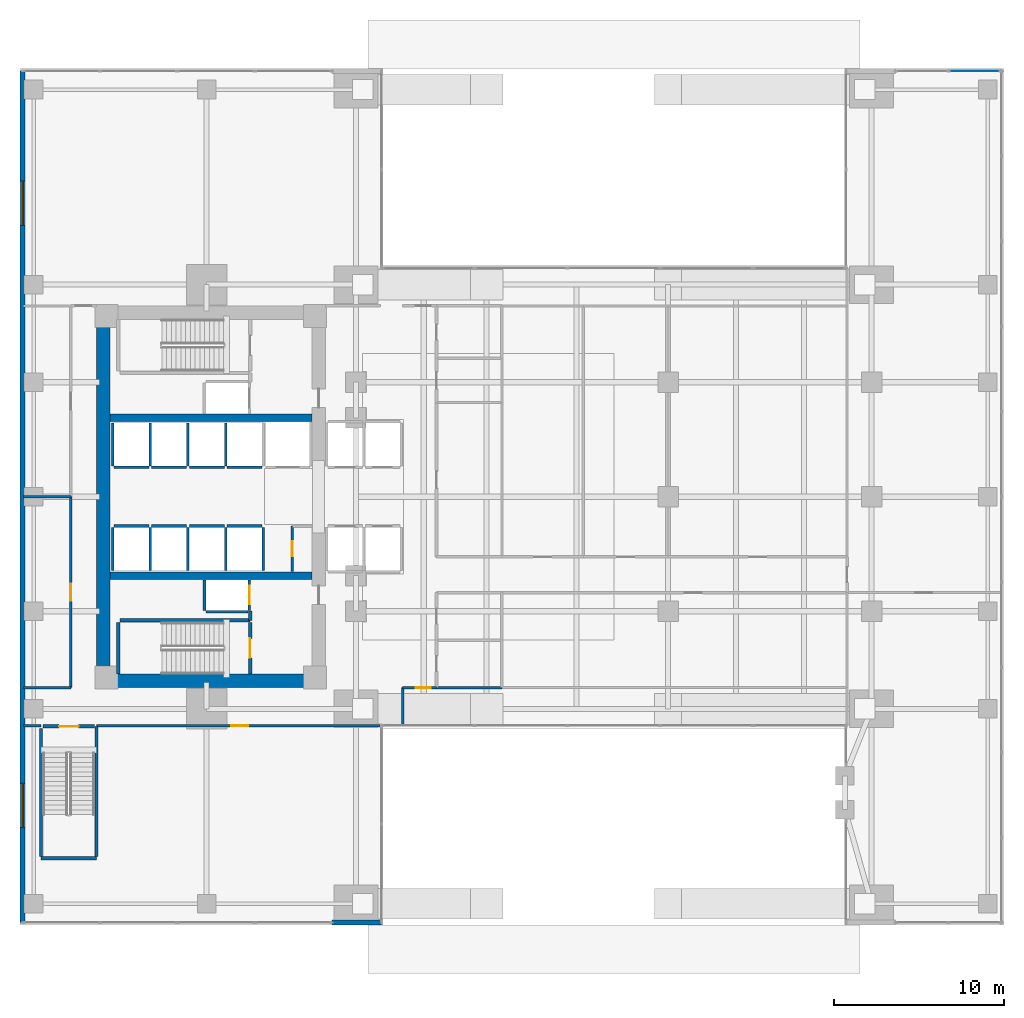
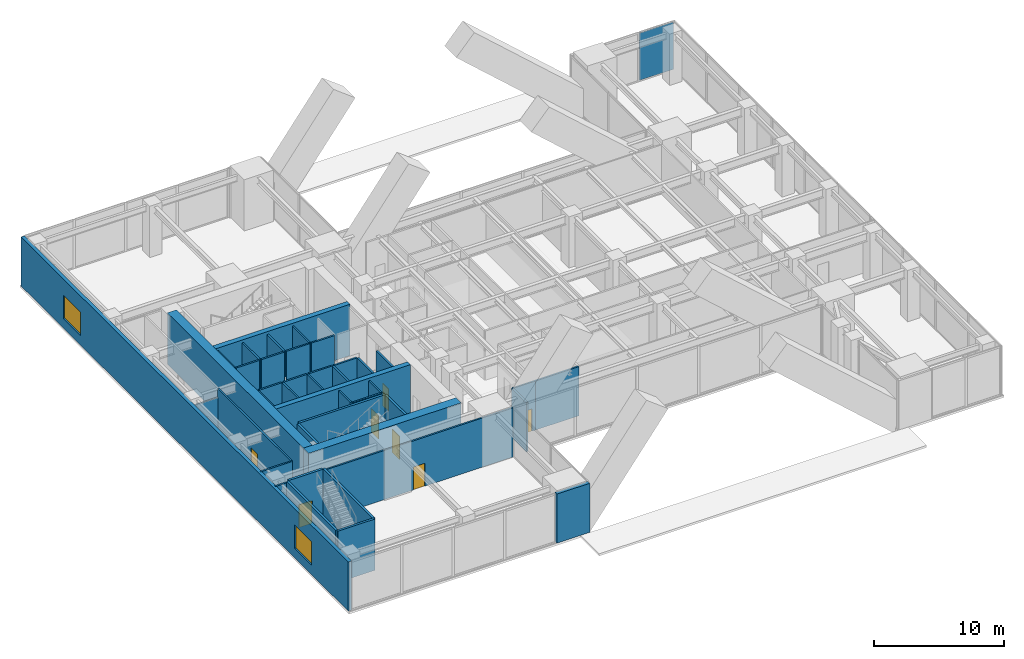
# One storey, part 8 of 13: 43 walls, 7 doors, 2 windows, 1 plate, 9 openings, 1 element without a shape of its own.
"""IFC4 building model written with IfcOpenShell, lengths in metres."""

from ifc_helpers import new_model, si_unit, direction, frame, frame_2d, origin, origin_2d, place, context, subcontext, project, spatial, rectangle, extrude, material, layer, layer_set, type_object, element, fill, aggregate, save


model = new_model("IFC4")

# Units and contexts
model_context = context("Model", 3, precision=1e-05, world=origin(), true_north=direction((0.0, 1.0)))
body_context = subcontext(model_context, "Body", "Model", "MODEL_VIEW")
ifc_project = project(units=[si_unit("LENGTHUNIT", "METRE"), si_unit("AREAUNIT", "SQUARE_METRE"), si_unit("VOLUMEUNIT", "CUBIC_METRE"), si_unit("PLANEANGLEUNIT", "RADIAN"), si_unit("MASSUNIT", "GRAM", prefix="KILO")], contexts=[model_context])

# Site, building, storey
site_placement = place(None, origin())
site = spatial("IfcSite", under=ifc_project, at=site_placement, CompositionType="ELEMENT")
building_placement = place(site_placement, origin())
building = spatial("IfcBuilding", under=site, at=building_placement, Name="Kinhvarn Gate Tower", CompositionType="ELEMENT")
storey_placement = place(building_placement, frame((0.0, 0.0, 6.0)))
storey = spatial("IfcBuildingStorey", under=building, at=storey_placement, Name="L01", CompositionType="ELEMENT", Elevation=6.0)

# Curtain wall, plate
ifc_material_1 = material(Name="Anodised aluminium AW-6063", Category="aluminium")
ifc_layer_1 = layer(ifc_material_1, 0.219970703125)
ifc_layer_set_1 = layer_set([ifc_layer_1], Name="Anodised aluminium AW-6063")
curtain_wall_type = type_object("IfcCurtainWallType", Name="CW-SYS-1", PredefinedType="NOTDEFINED", material=ifc_layer_set_1)
curtain_wall_placement = place(storey_placement, origin())
curtain_wall = element("IfcCurtainWall", 1, at=curtain_wall_placement, inside=storey, type_object=curtain_wall_type, Name="Curtain Wall CW1 (L01)", PredefinedType="NOTDEFINED")
ifc_material_2 = material(Name="Clear low-e double glazing", Category="glass")
ifc_layer_2 = layer(ifc_material_2, 0.031982421875)
ifc_layer_set_2 = layer_set([ifc_layer_2], Name="Clear low-e double glazing")
plate_type = type_object("IfcPlateType", Name="CW-PNL-VIS", PredefinedType="CURTAIN_PANEL", material=ifc_layer_set_2)
plate_placement = place(storey_placement, frame((56.267578125, 50.35009765625, 0.080078125), z_axis=(0.0, 0.0, 1.0), x_axis=(-1.0, 0.0, 0.0)))
plate = element("IfcPlate", 2, at=plate_placement, type_object=plate_type, Name="CW1 panel 1.1", PredefinedType="CURTAIN_PANEL", context=body_context, shape_type="SweptSolid", body=[
    extrude(rectangle(XDim=3.0048828125, YDim=0.031982421875, at=origin_2d()), origin(), (0.0, 0.0, 1.0), 4.43994140625),
])
aggregate(curtain_wall, [plate])

# Walls
ifc_material_3 = material(Name="Concrete C50/60", Category="concrete")
ifc_layer_3 = layer(ifc_material_3, 0.449951171875)
ifc_layer_set_3 = layer_set([ifc_layer_3], Name="Concrete C50/60")
wall_type_1 = type_object("IfcWallType", Name="WL-CORE-450", PredefinedType="SHEAR", material=ifc_layer_set_3)
for number, where, z_axis, x_axis, name in (
    (3, (5.300048828125, 20.60009765625, 0.0), (0.0, 0.0, 1.0), (1.0, 0.0, 0.0), "Core South Spine Shear Wall L01 450 mm"),
    (4, (5.300048828125, 29.89990234375, 0.0), (0.0, 0.0, 1.0), (1.0, 0.0, 0.0), "Core North Spine Shear Wall L01 450 mm"),
):
    element("IfcWall", number, at=place(storey_placement, frame(where, z_axis=z_axis, x_axis=x_axis)), inside=storey, type_object=wall_type_1, Name=name, PredefinedType="SHEAR", context=body_context, shape_type="SweptSolid", body=[
        extrude(rectangle(XDim=11.89990234375, YDim=0.449951171875, at=frame_2d((5.949951171875, 0.0))), origin(), (0.0, 0.0, 1.0), 4.800048828125),
    ])
ifc_material_4 = material(Name="Concrete C70/85", Category="concrete")
ifc_layer_4 = layer(ifc_material_4, 0.800048828125)
ifc_layer_set_4 = layer_set([ifc_layer_4], Name="Concrete C70/85")
wall_type_2 = type_object("IfcWallType", Name="WL-CORE-800", PredefinedType="SHEAR", material=ifc_layer_set_4)
wall_1_placement = place(storey_placement, frame((4.5, 14.39990234375, 0.0), z_axis=(0.0, 0.0, 1.0), x_axis=(1.0, 0.0, 0.0)))
element("IfcWall", 5, at=wall_1_placement, inside=storey, type_object=wall_type_2, Name="Core South Shear Wall L01 800 mm", PredefinedType="SHEAR", context=body_context, shape_type="SweptSolid", body=[
    extrude(rectangle(XDim=13.5, YDim=0.800048828125, at=frame_2d((6.75, 0.0))), origin(), (0.0, 0.0, 1.0), 4.800048828125),
])
wall_2_placement = place(storey_placement, frame((4.89990234375, 14.800048828125, 0.0), z_axis=(0.0, 0.0, 1.0), x_axis=(0.0, 1.0, 0.0)))
element("IfcWall", 6, at=wall_2_placement, inside=storey, type_object=wall_type_2, Name="Core West Shear Wall L01 800 mm", PredefinedType="SHEAR", context=body_context, shape_type="SweptSolid", body=[
    extrude(rectangle(XDim=20.89990234375, YDim=0.800048828125, at=frame_2d((10.449951171875, 0.0))), origin(), (0.0, 0.0, 1.0), 4.800048828125),
])

# Wall, openings, windows
ifc_material_5 = material(Name="Precast white architectural concrete C40/50", Category="concrete")
ifc_layer_5 = layer(ifc_material_5, 0.300048828125)
ifc_layer_set_5 = layer_set([ifc_layer_5], Name="Precast white architectural concrete C40/50")
wall_type_3 = type_object("IfcWallType", Name="WL-EXT-300", PredefinedType="SOLIDWALL", material=ifc_layer_set_5)
wall_3_placement = place(storey_placement, frame((0.14990234375, 50.35009765625, 0.0), z_axis=(0.0, 0.0, 1.0), x_axis=(0.0, -1.0, 0.0)))
wall_3 = element("IfcWall", 7, at=wall_3_placement, inside=storey, type_object=wall_type_3, Name="Exterior Solidwall Wall EW-300 (L01 West)", PredefinedType="SOLIDWALL", context=body_context, shape_type="SweptSolid", body=[
    extrude(rectangle(XDim=50.2001953125, YDim=0.300048828125, at=frame_2d((25.10009765625, 0.0))), origin(), (0.0, 0.0, 1.0), 4.60009765625),
])
opening_1_placement = place(wall_3_placement, frame((6.5, 0.0, 0.89990234375)))
opening_1 = element("IfcOpeningElement", 8, at=opening_1_placement, cuts=wall_3, Name="Opening WN-03", PredefinedType="OPENING", context=body_context, shape_type="SweptSolid", body=[
    extrude(rectangle(XDim=2.60009765625, YDim=2.199951171875, at=frame_2d((1.300048828125, 1.10009765625))), frame((0.0, 0.16015625, 0.0), z_axis=(0.0, -1.0, 0.0), x_axis=(1.0, 0.0, 0.0)), (0.0, 0.0, 1.0), 0.320068359375),
])
opening_2_placement = place(wall_3_placement, frame((42.0, 0.0, 0.89990234375)))
opening_2 = element("IfcOpeningElement", 9, at=opening_2_placement, cuts=wall_3, Name="Opening WN-03", PredefinedType="OPENING", context=body_context, shape_type="SweptSolid", body=[
    extrude(rectangle(XDim=2.60009765625, YDim=2.199951171875, at=frame_2d((1.300048828125, 1.10009765625))), frame((0.0, 0.16015625, 0.0), z_axis=(0.0, -1.0, 0.0), x_axis=(1.0, 0.0, 0.0)), (0.0, 0.0, 1.0), 0.320068359375),
])
window_type = type_object("IfcWindowType", Name="WIN-POD-2600", PartitioningType="SINGLE_PANEL", PredefinedType="WINDOW", material=ifc_material_2)
window_1_placement = place(opening_1_placement, origin())
window_1 = element("IfcWindow", 10, at=window_1_placement, inside=storey, type_object=window_type, Name="Podium Gallery Punched Window 2600x2200 mm (L01)", OverallHeight=2.199951171875, OverallWidth=2.60009765625, PartitioningType="SINGLE_PANEL", PredefinedType="WINDOW", context=body_context, shape_type="SweptSolid", body=[
    extrude(rectangle(XDim=2.60009765625, YDim=2.199951171875, at=frame_2d((1.300048828125, 1.10009765625))), frame((0.0, 0.030029296875, 0.0), z_axis=(0.0, -1.0, 0.0), x_axis=(1.0, 0.0, 0.0)), (0.0, 0.0, 1.0), 0.06005859375),
])
fill(opening_1, window_1)
window_2_placement = place(opening_2_placement, origin())
window_2 = element("IfcWindow", 11, at=window_2_placement, inside=storey, type_object=window_type, Name="Podium Gallery Punched Window 2600x2200 mm (L01)", OverallHeight=2.199951171875, OverallWidth=2.60009765625, PartitioningType="SINGLE_PANEL", PredefinedType="WINDOW", context=body_context, shape_type="SweptSolid", body=[
    extrude(rectangle(XDim=2.60009765625, YDim=2.199951171875, at=frame_2d((1.300048828125, 1.10009765625))), frame((0.0, 0.030029296875, 0.0), z_axis=(0.0, -1.0, 0.0), x_axis=(1.0, 0.0, 0.0)), (0.0, 0.0, 1.0), 0.06005859375),
])
fill(opening_2, window_2)

# Walls
wall_4_placement = place(storey_placement, frame((18.39990234375, 0.14990234375, 0.0), z_axis=(0.0, 0.0, 1.0), x_axis=(1.0, 0.0, 0.0)))
element("IfcWall", 12, at=wall_4_placement, inside=storey, type_object=wall_type_3, Name="Exterior Solidwall Wall EW-300 (L01 Arch-SW-Pier-L01)", PredefinedType="SOLIDWALL", context=body_context, shape_type="SweptSolid", body=[
    extrude(rectangle(XDim=2.91015625, YDim=0.300048828125, at=frame_2d((1.455078125, 0.0))), origin(), (0.0, 0.0, 1.0), 4.60009765625),
])
ifc_material_6 = material(Name="Gypsum acoustic partition board")
ifc_layer_6 = layer(ifc_material_6, 0.14990234375)
ifc_layer_set_6 = layer_set([ifc_layer_6], Name="Gypsum acoustic partition board")
wall_type_4 = type_object("IfcWallType", Name="WL-PLM-150", PredefinedType="PLUMBINGWALL", material=ifc_layer_set_6)
wall_5_placement = place(storey_placement, frame((24.550048828125, 14.0, 0.0), z_axis=(0.0, 0.0, 1.0), x_axis=(1.0, 0.0, 0.0)))
element("IfcWall", 13, at=wall_5_placement, inside=storey, type_object=wall_type_4, Name="Interior Partition PLW-150 (L01)", PredefinedType="PLUMBINGWALL", context=body_context, shape_type="SweptSolid", body=[
    extrude(rectangle(XDim=3.849853515625, YDim=0.14990234375, at=frame_2d((1.9248046875, 0.0))), origin(), (0.0, 0.0, 1.0), 4.60009765625),
])
ifc_layer_7 = layer(ifc_material_6, 0.1201171875)
ifc_layer_set_7 = layer_set([ifc_layer_7], Name="Gypsum acoustic partition board")
wall_type_5 = type_object("IfcWallType", Name="WL-PRT-120", PredefinedType="PARTITIONING", material=ifc_layer_set_7)
wall_6_placement = place(storey_placement, frame((0.199951171875, 25.25, 0.0), z_axis=(0.0, 0.0, 1.0), x_axis=(1.0, 0.0, 0.0)))
element("IfcWall", 14, at=wall_6_placement, inside=storey, type_object=wall_type_5, Name="Interior Partition PW-120 (L01)", PredefinedType="PARTITIONING", context=body_context, shape_type="SweptSolid", body=[
    extrude(rectangle(XDim=2.800048828125, YDim=0.1201171875, at=frame_2d((1.39990234375, 0.0))), origin(), (0.0, 0.0, 1.0), 3.800048828125),
])

# Wall, opening, door
ifc_layer_8 = layer(ifc_material_6, 0.14990234375)
ifc_layer_set_8 = layer_set([ifc_layer_8], Name="Gypsum acoustic partition board")
wall_type_6 = type_object("IfcWallType", Name="WL-PRT-150F", PredefinedType="PARTITIONING", material=ifc_layer_set_8)
wall_7_placement = place(storey_placement, frame((16.050048828125, 20.85009765625, 0.0), z_axis=(0.0, 0.0, 1.0), x_axis=(0.0, 1.0, 0.0)))
wall_7 = element("IfcWall", 15, at=wall_7_placement, inside=storey, type_object=wall_type_6, Name="Interior Partition PW-150F (L01)", PredefinedType="PARTITIONING", context=body_context, shape_type="SweptSolid", body=[
    extrude(rectangle(XDim=2.669921875, YDim=0.14990234375, at=frame_2d((1.3349609375, 0.0))), origin(), (0.0, 0.0, 1.0), 4.60009765625),
])
opening_3_placement = place(wall_7_placement, frame((0.885009765625, 0.0, 0.0)))
opening_3 = element("IfcOpeningElement", 16, at=opening_3_placement, cuts=wall_7, Name="Opening FD-04", PredefinedType="OPENING", context=body_context, shape_type="SweptSolid", body=[
    extrude(rectangle(XDim=0.89990234375, YDim=2.10009765625, at=frame_2d((0.449951171875, 1.050048828125))), frame((0.0, 0.0849609375, 0.0), z_axis=(0.0, -1.0, 0.0), x_axis=(1.0, 0.0, 0.0)), (0.0, 0.0, 1.0), 0.169921875),
])
door_type_1 = type_object("IfcDoorType", Name="DR-FD-900", OperationType="NOTDEFINED", PredefinedType="DOOR", material=ifc_material_1)
door_1_placement = place(opening_3_placement, origin())
door_1 = element("IfcDoor", 17, at=door_1_placement, inside=storey, type_object=door_type_1, Name="Rated Riser & Service Closet Fire Door 900x2100 mm (L01)", OperationType="SINGLE_SWING_RIGHT", OverallHeight=2.10009765625, OverallWidth=0.89990234375, PredefinedType="DOOR", context=body_context, shape_type="SweptSolid", body=[
    extrude(rectangle(XDim=0.89990234375, YDim=2.10009765625, at=frame_2d((0.449951171875, 1.050048828125))), frame((0.0, 0.02490234375, 0.0), z_axis=(0.0, -1.0, 0.0), x_axis=(1.0, 0.0, 0.0)), (0.0, 0.0, 1.0), 0.050048828125),
])
fill(opening_3, door_1)

wall_8_placement = place(storey_placement, frame((22.550048828125, 14.0, 0.0), z_axis=(0.0, 0.0, 1.0), x_axis=(1.0, 0.0, 0.0)))
wall_8 = element("IfcWall", 18, at=wall_8_placement, inside=storey, type_object=wall_type_6, Name="Interior Partition PW-150F (L01)", PredefinedType="PARTITIONING", context=body_context, shape_type="SweptSolid", body=[
    extrude(rectangle(XDim=2.0, YDim=0.14990234375, at=frame_2d((1.0, 0.0))), origin(), (0.0, 0.0, 1.0), 4.60009765625),
])
opening_4_placement = place(wall_8_placement, frame((0.77197265625, 0.0, 0.0)))
opening_4 = element("IfcOpeningElement", 19, at=opening_4_placement, cuts=wall_8, Name="Opening ID-03", PredefinedType="OPENING", context=body_context, shape_type="SweptSolid", body=[
    extrude(rectangle(XDim=0.89990234375, YDim=2.10009765625, at=frame_2d((0.449951171875, 1.050048828125))), frame((0.0, 0.0849609375, 0.0), z_axis=(0.0, -1.0, 0.0), x_axis=(1.0, 0.0, 0.0)), (0.0, 0.0, 1.0), 0.169921875),
])
door_type_2 = type_object("IfcDoorType", Name="DR-INT-900", OperationType="NOTDEFINED", PredefinedType="DOOR", material=ifc_material_1)
door_2_placement = place(opening_4_placement, origin())
door_2 = element("IfcDoor", 20, at=door_2_placement, inside=storey, type_object=door_type_2, Name="Cellular Office & Restroom Door 900x2100 mm (L01)", OperationType="SINGLE_SWING_LEFT", OverallHeight=2.10009765625, OverallWidth=0.89990234375, PredefinedType="DOOR", context=body_context, shape_type="SweptSolid", body=[
    extrude(rectangle(XDim=0.89990234375, YDim=2.10009765625, at=frame_2d((0.449951171875, 1.050048828125))), frame((0.0, 0.02490234375, 0.0), z_axis=(0.0, -1.0, 0.0), x_axis=(1.0, 0.0, 0.0)), (0.0, 0.0, 1.0), 0.050048828125),
])
fill(opening_4, door_2)

# Wall
wall_9_placement = place(storey_placement, frame((0.199951171875, 11.75, 0.0), z_axis=(0.0, 0.0, 1.0), x_axis=(1.0, 0.0, 0.0)))
element("IfcWall", 21, at=wall_9_placement, inside=storey, type_object=wall_type_6, Name="Interior Partition PW-150F (L01)", PredefinedType="PARTITIONING", context=body_context, shape_type="SweptSolid", body=[
    extrude(rectangle(XDim=1.0400390625, YDim=0.14990234375, at=frame_2d((0.52001953125, 0.0))), origin(), (0.0, 0.0, 1.0), 4.60009765625),
])

# Wall, opening, door
wall_10_placement = place(storey_placement, frame((4.52001953125, 11.75, 0.0), z_axis=(0.0, 0.0, 1.0), x_axis=(1.0, 0.0, 0.0)))
wall_10 = element("IfcWall", 22, at=wall_10_placement, inside=storey, type_object=wall_type_6, Name="Interior Partition PW-150F (L01)", PredefinedType="PARTITIONING", context=body_context, shape_type="SweptSolid", body=[
    extrude(rectangle(XDim=16.72998046875, YDim=0.14990234375, at=frame_2d((8.364990234375, 0.0))), origin(), (0.0, 0.0, 1.0), 4.60009765625),
])
opening_5_placement = place(wall_10_placement, frame((7.93994140625, 0.0, 0.0)))
opening_5 = element("IfcOpeningElement", 23, at=opening_5_placement, cuts=wall_10, Name="Opening ID-02", PredefinedType="OPENING", context=body_context, shape_type="SweptSolid", body=[
    extrude(rectangle(XDim=1.0, YDim=2.14990234375, at=frame_2d((0.5, 1.074951171875))), frame((0.0, 0.0849609375, 0.0), z_axis=(0.0, -1.0, 0.0), x_axis=(1.0, 0.0, 0.0)), (0.0, 0.0, 1.0), 0.169921875),
])
door_type_3 = type_object("IfcDoorType", Name="DR-INT-1000", OperationType="NOTDEFINED", PredefinedType="DOOR", material=ifc_material_1)
door_3_placement = place(opening_5_placement, origin())
door_3 = element("IfcDoor", 24, at=door_3_placement, inside=storey, type_object=door_type_3, Name="Standard Office & Meeting Room Door 1000x2150 mm (L01)", OperationType="SINGLE_SWING_RIGHT", OverallHeight=2.14990234375, OverallWidth=1.0, PredefinedType="DOOR", context=body_context, shape_type="SweptSolid", body=[
    extrude(rectangle(XDim=1.0, YDim=2.14990234375, at=frame_2d((0.5, 1.074951171875))), frame((0.0, 0.02490234375, 0.0), z_axis=(0.0, -1.0, 0.0), x_axis=(1.0, 0.0, 0.0)), (0.0, 0.0, 1.0), 0.050048828125),
])
fill(opening_5, door_3)

# Walls
wall_11_placement = place(storey_placement, frame((0.199951171875, 14.0, 0.0), z_axis=(0.0, 0.0, 1.0), x_axis=(1.0, 0.0, 0.0)))
element("IfcWall", 25, at=wall_11_placement, inside=storey, type_object=wall_type_6, Name="Interior Partition PW-150F (L01)", PredefinedType="PARTITIONING", context=body_context, shape_type="SweptSolid", body=[
    extrude(rectangle(XDim=2.800048828125, YDim=0.14990234375, at=frame_2d((1.39990234375, 0.0))), origin(), (0.0, 0.0, 1.0), 4.60009765625),
])
wall_12_placement = place(storey_placement, frame((22.550048828125, 11.75, 0.0), z_axis=(0.0, 0.0, 1.0), x_axis=(0.0, 1.0, 0.0)))
element("IfcWall", 26, at=wall_12_placement, inside=storey, type_object=wall_type_6, Name="Interior Partition PW-150F (L01)", PredefinedType="PARTITIONING", context=body_context, shape_type="SweptSolid", body=[
    extrude(rectangle(XDim=2.25, YDim=0.14990234375, at=frame_2d((1.125, 0.0))), origin(), (0.0, 0.0, 1.0), 4.60009765625),
])

# Wall, opening, door
wall_13_placement = place(storey_placement, frame((3.0, 14.0, 0.0), z_axis=(0.0, 0.0, 1.0), x_axis=(0.0, 1.0, 0.0)))
wall_13 = element("IfcWall", 27, at=wall_13_placement, inside=storey, type_object=wall_type_6, Name="Interior Partition PW-150F (L01)", PredefinedType="PARTITIONING", context=body_context, shape_type="SweptSolid", body=[
    extrude(rectangle(XDim=11.25, YDim=0.14990234375, at=frame_2d((5.625, 0.0))), origin(), (0.0, 0.0, 1.0), 4.60009765625),
])
opening_6_placement = place(wall_13_placement, frame((5.125, 0.0, 0.0)))
opening_6 = element("IfcOpeningElement", 28, at=opening_6_placement, cuts=wall_13, Name="Opening ID-02", PredefinedType="OPENING", context=body_context, shape_type="SweptSolid", body=[
    extrude(rectangle(XDim=1.0, YDim=2.14990234375, at=frame_2d((0.5, 1.074951171875))), frame((0.0, 0.0849609375, 0.0), z_axis=(0.0, -1.0, 0.0), x_axis=(1.0, 0.0, 0.0)), (0.0, 0.0, 1.0), 0.169921875),
])
door_4_placement = place(opening_6_placement, origin())
door_4 = element("IfcDoor", 29, at=door_4_placement, inside=storey, type_object=door_type_3, Name="Standard Office & Meeting Room Door 1000x2150 mm (L01)", OperationType="SINGLE_SWING_LEFT", OverallHeight=2.14990234375, OverallWidth=1.0, PredefinedType="DOOR", context=body_context, shape_type="SweptSolid", body=[
    extrude(rectangle(XDim=1.0, YDim=2.14990234375, at=frame_2d((0.5, 1.074951171875))), frame((0.0, 0.02490234375, 0.0), z_axis=(0.0, -1.0, 0.0), x_axis=(1.0, 0.0, 0.0)), (0.0, 0.0, 1.0), 0.050048828125),
])
fill(opening_6, door_4)

# Walls
ifc_layer_9 = layer(ifc_material_6, 0.199951171875)
ifc_layer_set_9 = layer_set([ifc_layer_9], Name="Gypsum acoustic partition board")
wall_type_7 = type_object("IfcWallType", Name="WL-PRT-200", PredefinedType="PARTITIONING", material=ifc_layer_set_9)
wall_14_placement = place(storey_placement, frame((13.580078125, 17.9599609375, 0.0), z_axis=(0.0, 0.0, 1.0), x_axis=(0.0, 1.0, 0.0)))
element("IfcWall", 30, at=wall_14_placement, inside=storey, type_object=wall_type_7, Name="Interior Partition PW-200 (L01)", PredefinedType="PARTITIONING", context=body_context, shape_type="SweptSolid", body=[
    extrude(rectangle(XDim=0.5400390625, YDim=0.199951171875, at=frame_2d((0.27001953125, 0.0))), origin(), (0.0, 0.0, 1.0), 4.60009765625),
])
ifc_layer_10 = layer(ifc_material_6, 0.14990234375)
ifc_layer_set_10 = layer_set([ifc_layer_10], Name="Gypsum acoustic partition board")
wall_type_8 = type_object("IfcWallType", Name="WL-SHF-150", PredefinedType="PARTITIONING", material=ifc_layer_set_10)
wall_15_placement = place(storey_placement, frame((5.550048828125, 23.52490234375, 0.0), z_axis=(0.0, 0.0, 1.0), x_axis=(1.0, 0.0, 0.0)))
element("IfcWall", 31, at=wall_15_placement, inside=storey, type_object=wall_type_8, Name="Elevator PM-05 Landing Wall (L01)", PredefinedType="PARTITIONING", context=body_context, shape_type="SweptSolid", body=[
    extrude(rectangle(XDim=2.050048828125, YDim=0.14990234375, at=frame_2d((1.02490234375, 0.0))), origin(), (0.0, 0.0, 1.0), 4.60009765625),
])
for number, where, z_axis, x_axis, name in (
    (32, (5.47509765625, 20.89990234375, 0.0), (0.0, 0.0, 1.0), (0.0, 1.0, 0.0), "Elevator PM-05 Hoistway Wall W (L01)"),
    (33, (7.675048828125, 20.89990234375, 0.0), (0.0, 0.0, 1.0), (0.0, 1.0, 0.0), "Elevator PM-05 Hoistway Wall E (L01)"),
):
    element("IfcWall", number, at=place(storey_placement, frame(where, z_axis=z_axis, x_axis=x_axis)), inside=storey, type_object=wall_type_8, Name=name, PredefinedType="PARTITIONING", context=body_context, shape_type="SweptSolid", body=[
        extrude(rectangle(XDim=2.550048828125, YDim=0.14990234375, at=frame_2d((1.27490234375, 0.0))), origin(), (0.0, 0.0, 1.0), 4.60009765625),
    ])
wall_16_placement = place(storey_placement, frame((7.75, 23.52490234375, 0.0), z_axis=(0.0, 0.0, 1.0), x_axis=(1.0, 0.0, 0.0)))
element("IfcWall", 34, at=wall_16_placement, inside=storey, type_object=wall_type_8, Name="Elevator PM-06 Landing Wall (L01)", PredefinedType="PARTITIONING", context=body_context, shape_type="SweptSolid", body=[
    extrude(rectangle(XDim=2.050048828125, YDim=0.14990234375, at=frame_2d((1.02490234375, 0.0))), origin(), (0.0, 0.0, 1.0), 4.60009765625),
])
wall_17_placement = place(storey_placement, frame((9.875, 20.89990234375, 0.0), z_axis=(0.0, 0.0, 1.0), x_axis=(0.0, 1.0, 0.0)))
element("IfcWall", 35, at=wall_17_placement, inside=storey, type_object=wall_type_8, Name="Elevator PM-06 Hoistway Wall E (L01)", PredefinedType="PARTITIONING", context=body_context, shape_type="SweptSolid", body=[
    extrude(rectangle(XDim=2.550048828125, YDim=0.14990234375, at=frame_2d((1.27490234375, 0.0))), origin(), (0.0, 0.0, 1.0), 4.60009765625),
])
wall_18_placement = place(storey_placement, frame((5.550048828125, 26.97509765625, 0.0), z_axis=(0.0, 0.0, 1.0), x_axis=(1.0, 0.0, 0.0)))
element("IfcWall", 36, at=wall_18_placement, inside=storey, type_object=wall_type_8, Name="Elevator PM-07 Landing Wall (L01)", PredefinedType="PARTITIONING", context=body_context, shape_type="SweptSolid", body=[
    extrude(rectangle(XDim=2.050048828125, YDim=0.14990234375, at=frame_2d((1.02490234375, 0.0))), origin(), (0.0, 0.0, 1.0), 4.60009765625),
])
for number, where, z_axis, x_axis, name in (
    (37, (5.47509765625, 27.050048828125, 0.0), (0.0, 0.0, 1.0), (0.0, 1.0, 0.0), "Elevator PM-07 Hoistway Wall W (L01)"),
    (38, (7.675048828125, 27.050048828125, 0.0), (0.0, 0.0, 1.0), (0.0, 1.0, 0.0), "Elevator PM-07 Hoistway Wall E (L01)"),
):
    element("IfcWall", number, at=place(storey_placement, frame(where, z_axis=z_axis, x_axis=x_axis)), inside=storey, type_object=wall_type_8, Name=name, PredefinedType="PARTITIONING", context=body_context, shape_type="SweptSolid", body=[
        extrude(rectangle(XDim=2.550048828125, YDim=0.14990234375, at=frame_2d((1.27490234375, 0.0))), origin(), (0.0, 0.0, 1.0), 4.60009765625),
    ])
wall_19_placement = place(storey_placement, frame((7.75, 26.97509765625, 0.0), z_axis=(0.0, 0.0, 1.0), x_axis=(1.0, 0.0, 0.0)))
element("IfcWall", 39, at=wall_19_placement, inside=storey, type_object=wall_type_8, Name="Elevator PM-08 Landing Wall (L01)", PredefinedType="PARTITIONING", context=body_context, shape_type="SweptSolid", body=[
    extrude(rectangle(XDim=2.050048828125, YDim=0.14990234375, at=frame_2d((1.02490234375, 0.0))), origin(), (0.0, 0.0, 1.0), 4.60009765625),
])
wall_20_placement = place(storey_placement, frame((9.875, 27.050048828125, 0.0), z_axis=(0.0, 0.0, 1.0), x_axis=(0.0, 1.0, 0.0)))
element("IfcWall", 40, at=wall_20_placement, inside=storey, type_object=wall_type_8, Name="Elevator PM-08 Hoistway Wall E (L01)", PredefinedType="PARTITIONING", context=body_context, shape_type="SweptSolid", body=[
    extrude(rectangle(XDim=2.550048828125, YDim=0.14990234375, at=frame_2d((1.27490234375, 0.0))), origin(), (0.0, 0.0, 1.0), 4.60009765625),
])
wall_21_placement = place(storey_placement, frame((10.0, 23.52490234375, 0.0), z_axis=(0.0, 0.0, 1.0), x_axis=(1.0, 0.0, 0.0)))
element("IfcWall", 41, at=wall_21_placement, inside=storey, type_object=wall_type_8, Name="Elevator PH-09 Landing Wall (L01)", PredefinedType="PARTITIONING", context=body_context, shape_type="SweptSolid", body=[
    extrude(rectangle(XDim=2.050048828125, YDim=0.14990234375, at=frame_2d((1.02490234375, 0.0))), origin(), (0.0, 0.0, 1.0), 4.60009765625),
])
wall_22_placement = place(storey_placement, frame((12.125, 20.89990234375, 0.0), z_axis=(0.0, 0.0, 1.0), x_axis=(0.0, 1.0, 0.0)))
element("IfcWall", 42, at=wall_22_placement, inside=storey, type_object=wall_type_8, Name="Elevator PH-09 Hoistway Wall E (L01)", PredefinedType="PARTITIONING", context=body_context, shape_type="SweptSolid", body=[
    extrude(rectangle(XDim=2.550048828125, YDim=0.14990234375, at=frame_2d((1.27490234375, 0.0))), origin(), (0.0, 0.0, 1.0), 4.60009765625),
])
wall_23_placement = place(storey_placement, frame((12.199951171875, 23.52490234375, 0.0), z_axis=(0.0, 0.0, 1.0), x_axis=(1.0, 0.0, 0.0)))
element("IfcWall", 43, at=wall_23_placement, inside=storey, type_object=wall_type_8, Name="Elevator PH-10 Landing Wall (L01)", PredefinedType="PARTITIONING", context=body_context, shape_type="SweptSolid", body=[
    extrude(rectangle(XDim=2.050048828125, YDim=0.14990234375, at=frame_2d((1.02490234375, 0.0))), origin(), (0.0, 0.0, 1.0), 4.60009765625),
])
wall_24_placement = place(storey_placement, frame((14.324951171875, 20.89990234375, 0.0), z_axis=(0.0, 0.0, 1.0), x_axis=(0.0, 1.0, 0.0)))
element("IfcWall", 44, at=wall_24_placement, inside=storey, type_object=wall_type_8, Name="Elevator PH-10 Hoistway Wall E (L01)", PredefinedType="PARTITIONING", context=body_context, shape_type="SweptSolid", body=[
    extrude(rectangle(XDim=2.550048828125, YDim=0.14990234375, at=frame_2d((1.27490234375, 0.0))), origin(), (0.0, 0.0, 1.0), 4.60009765625),
])
wall_25_placement = place(storey_placement, frame((10.0, 26.97509765625, 0.0), z_axis=(0.0, 0.0, 1.0), x_axis=(1.0, 0.0, 0.0)))
element("IfcWall", 45, at=wall_25_placement, inside=storey, type_object=wall_type_8, Name="Elevator PH-11 Landing Wall (L01)", PredefinedType="PARTITIONING", context=body_context, shape_type="SweptSolid", body=[
    extrude(rectangle(XDim=2.050048828125, YDim=0.14990234375, at=frame_2d((1.02490234375, 0.0))), origin(), (0.0, 0.0, 1.0), 4.60009765625),
])
wall_26_placement = place(storey_placement, frame((12.125, 27.050048828125, 0.0), z_axis=(0.0, 0.0, 1.0), x_axis=(0.0, 1.0, 0.0)))
element("IfcWall", 46, at=wall_26_placement, inside=storey, type_object=wall_type_8, Name="Elevator PH-11 Hoistway Wall E (L01)", PredefinedType="PARTITIONING", context=body_context, shape_type="SweptSolid", body=[
    extrude(rectangle(XDim=2.550048828125, YDim=0.14990234375, at=frame_2d((1.27490234375, 0.0))), origin(), (0.0, 0.0, 1.0), 4.60009765625),
])
wall_27_placement = place(storey_placement, frame((12.199951171875, 26.97509765625, 0.0), z_axis=(0.0, 0.0, 1.0), x_axis=(1.0, 0.0, 0.0)))
element("IfcWall", 47, at=wall_27_placement, inside=storey, type_object=wall_type_8, Name="Elevator PH-12 Landing Wall (L01)", PredefinedType="PARTITIONING", context=body_context, shape_type="SweptSolid", body=[
    extrude(rectangle(XDim=2.050048828125, YDim=0.14990234375, at=frame_2d((1.02490234375, 0.0))), origin(), (0.0, 0.0, 1.0), 4.60009765625),
])
wall_28_placement = place(storey_placement, frame((10.949951171875, 18.47509765625, 0.0), z_axis=(0.0, 0.0, 1.0), x_axis=(1.0, 0.0, 0.0)))
element("IfcWall", 48, at=wall_28_placement, inside=storey, type_object=wall_type_8, Name="Elevator FF1 Hoistway Wall S (L01)", PredefinedType="PARTITIONING", context=body_context, shape_type="SweptSolid", body=[
    extrude(rectangle(XDim=2.5, YDim=0.14990234375, at=frame_2d((1.25, 0.0))), origin(), (0.0, 0.0, 1.0), 4.60009765625),
])
wall_29_placement = place(storey_placement, frame((10.875, 18.550048828125, 0.0), z_axis=(0.0, 0.0, 1.0), x_axis=(0.0, 1.0, 0.0)))
element("IfcWall", 49, at=wall_29_placement, inside=storey, type_object=wall_type_8, Name="Elevator FF1 Hoistway Wall W (L01)", PredefinedType="PARTITIONING", context=body_context, shape_type="SweptSolid", body=[
    extrude(rectangle(XDim=1.800048828125, YDim=0.14990234375, at=frame_2d((0.89990234375, 0.0))), origin(), (0.0, 0.0, 1.0), 4.60009765625),
])

# Wall, opening, door
wall_30_placement = place(storey_placement, frame((13.52490234375, 18.550048828125, 0.0), z_axis=(0.0, 0.0, 1.0), x_axis=(0.0, 1.0, 0.0)))
wall_30 = element("IfcWall", 50, at=wall_30_placement, inside=storey, type_object=wall_type_8, Name="Elevator FF1 Landing Wall (L01)", PredefinedType="PARTITIONING", context=body_context, shape_type="SweptSolid", body=[
    extrude(rectangle(XDim=1.800048828125, YDim=0.14990234375, at=frame_2d((0.89990234375, 0.0))), origin(), (0.0, 0.0, 1.0), 4.60009765625),
])
opening_7_placement = place(wall_30_placement, frame((0.35009765625, 0.0, 0.0)))
opening_7 = element("IfcOpeningElement", 51, at=opening_7_placement, cuts=wall_30, Name="Opening LD-03", PredefinedType="OPENING", context=body_context, shape_type="SweptSolid", body=[
    extrude(rectangle(XDim=1.10009765625, YDim=2.199951171875, at=frame_2d((0.550048828125, 1.10009765625))), frame((0.0, 0.0849609375, 0.0), z_axis=(0.0, -1.0, 0.0), x_axis=(1.0, 0.0, 0.0)), (0.0, 0.0, 1.0), 0.169921875),
])
door_type_4 = type_object("IfcDoorType", Name="DR-LND-FF", OperationType="NOTDEFINED", PredefinedType="DOOR", material=ifc_material_1)
door_5_placement = place(opening_7_placement, origin())
door_5 = element("IfcDoor", 52, at=door_5_placement, inside=storey, type_object=door_type_4, Name="Elevator FF1 Sliding Landing Door (L01)", OperationType="DOUBLE_DOOR_SLIDING", OverallHeight=2.199951171875, OverallWidth=1.10009765625, PredefinedType="DOOR", context=body_context, shape_type="SweptSolid", body=[
    extrude(rectangle(XDim=1.10009765625, YDim=2.199951171875, at=frame_2d((0.550048828125, 1.10009765625))), frame((0.0, 0.02490234375, 0.0), z_axis=(0.0, -1.0, 0.0), x_axis=(1.0, 0.0, 0.0)), (0.0, 0.0, 1.0), 0.050048828125),
])
fill(opening_7, door_5)

# Walls
ifc_material_7 = material(Name="Concrete C40/50", Category="concrete")
ifc_layer_11 = layer(ifc_material_7, 0.199951171875)
ifc_layer_set_11 = layer_set([ifc_layer_11], Name="Concrete C40/50")
wall_type_9 = type_object("IfcWallType", Name="WL-SHF-200", PredefinedType="SOLIDWALL", material=ifc_layer_set_11)
wall_31_placement = place(storey_placement, frame((5.7900390625, 14.800048828125, 0.0), z_axis=(0.0, 0.0, 1.0), x_axis=(0.0, 1.0, 0.0)))
element("IfcWall", 53, at=wall_31_placement, inside=storey, type_object=wall_type_9, Name="Stair ST1 West Shaft Wall (L01)", PredefinedType="SOLIDWALL", context=body_context, shape_type="SweptSolid", body=[
    extrude(rectangle(XDim=3.050048828125, YDim=0.199951171875, at=frame_2d((1.52490234375, 0.0))), origin(), (0.0, 0.0, 1.0), 4.800048828125),
])
wall_32_placement = place(storey_placement, frame((5.89990234375, 17.9599609375, 0.0), z_axis=(0.0, 0.0, 1.0), x_axis=(1.0, 0.0, 0.0)))
element("IfcWall", 54, at=wall_32_placement, inside=storey, type_object=wall_type_9, Name="Stair ST1 North Shaft Wall (L01)", PredefinedType="SOLIDWALL", context=body_context, shape_type="SweptSolid", body=[
    extrude(rectangle(XDim=7.66015625, YDim=0.199951171875, at=frame_2d((3.830078125, 0.0))), origin(), (0.0, 0.0, 1.0), 4.800048828125),
])

# Wall, opening, door
wall_33_placement = place(storey_placement, frame((13.56005859375, 14.800048828125, 0.0), z_axis=(0.0, 0.0, 1.0), x_axis=(0.0, 1.0, 0.0)))
wall_33 = element("IfcWall", 55, at=wall_33_placement, inside=storey, type_object=wall_type_9, Name="Stair ST1 East Entry Wall (L01)", PredefinedType="SOLIDWALL", context=body_context, shape_type="SweptSolid", body=[
    extrude(rectangle(XDim=3.050048828125, YDim=0.199951171875, at=frame_2d((1.52490234375, 0.0))), origin(), (0.0, 0.0, 1.0), 4.800048828125),
])
opening_8_placement = place(wall_33_placement, frame((0.949951171875, 0.0, 0.0)))
opening_8 = element("IfcOpeningElement", 56, at=opening_8_placement, cuts=wall_33, Name="Opening FD-01", PredefinedType="OPENING", context=body_context, shape_type="SweptSolid", body=[
    extrude(rectangle(XDim=1.14990234375, YDim=2.14990234375, at=frame_2d((0.574951171875, 1.074951171875))), frame((0.0, 0.10986328125, 0.0), z_axis=(0.0, -1.0, 0.0), x_axis=(1.0, 0.0, 0.0)), (0.0, 0.0, 1.0), 0.219970703125),
])
door_type_5 = type_object("IfcDoorType", Name="DR-ST-1150", OperationType="NOTDEFINED", PredefinedType="DOOR", material=ifc_material_1)
door_6_placement = place(opening_8_placement, origin())
door_6 = element("IfcDoor", 57, at=door_6_placement, inside=storey, type_object=door_type_5, Name="Exit Stair ST1 Fire Door (L01)", OperationType="SINGLE_SWING_LEFT", OverallHeight=2.14990234375, OverallWidth=1.14990234375, PredefinedType="DOOR", context=body_context, shape_type="SweptSolid", body=[
    extrude(rectangle(XDim=1.14990234375, YDim=2.14990234375, at=frame_2d((0.574951171875, 1.074951171875))), frame((0.0, 0.02490234375, 0.0), z_axis=(0.0, -1.0, 0.0), x_axis=(1.0, 0.0, 0.0)), (0.0, 0.0, 1.0), 0.050048828125),
])
fill(opening_8, door_6)

# Walls
wall_34_placement = place(storey_placement, frame((1.25, 3.949951171875, 0.0), z_axis=(0.0, 0.0, 1.0), x_axis=(1.0, 0.0, 0.0)))
element("IfcWall", 58, at=wall_34_placement, inside=storey, type_object=wall_type_9, Name="Stair ST3 South Shaft Wall (L01)", PredefinedType="SOLIDWALL", context=body_context, shape_type="SweptSolid", body=[
    extrude(rectangle(XDim=3.25, YDim=0.199951171875, at=frame_2d((1.625, 0.0))), origin(), (0.0, 0.0, 1.0), 4.800048828125),
])
wall_35_placement = place(storey_placement, frame((1.239990234375, 4.050048828125, 0.0), z_axis=(0.0, 0.0, 1.0), x_axis=(0.0, 1.0, 0.0)))
element("IfcWall", 59, at=wall_35_placement, inside=storey, type_object=wall_type_9, Name="Stair ST3 West Shaft Wall (L01)", PredefinedType="SOLIDWALL", context=body_context, shape_type="SweptSolid", body=[
    extrude(rectangle(XDim=7.550048828125, YDim=0.199951171875, at=frame_2d((3.77490234375, 0.0))), origin(), (0.0, 0.0, 1.0), 4.800048828125),
])
wall_36_placement = place(storey_placement, frame((4.510009765625, 4.050048828125, 0.0), z_axis=(0.0, 0.0, 1.0), x_axis=(0.0, 1.0, 0.0)))
element("IfcWall", 60, at=wall_36_placement, inside=storey, type_object=wall_type_9, Name="Stair ST3 East Shaft Wall (L01)", PredefinedType="SOLIDWALL", context=body_context, shape_type="SweptSolid", body=[
    extrude(rectangle(XDim=7.64990234375, YDim=0.199951171875, at=frame_2d((3.824951171875, 0.0))), origin(), (0.0, 0.0, 1.0), 4.800048828125),
])

# Wall, opening, door
wall_37_placement = place(storey_placement, frame((1.35009765625, 11.7099609375, 0.0), z_axis=(0.0, 0.0, 1.0), x_axis=(1.0, 0.0, 0.0)))
wall_37 = element("IfcWall", 61, at=wall_37_placement, inside=storey, type_object=wall_type_9, Name="Stair ST3 North Entry Wall (L01)", PredefinedType="SOLIDWALL", context=body_context, shape_type="SweptSolid", body=[
    extrude(rectangle(XDim=3.0498046875, YDim=0.199951171875, at=frame_2d((1.52490234375, 0.0))), origin(), (0.0, 0.0, 1.0), 4.800048828125),
])
opening_9_placement = place(wall_37_placement, frame((0.949951171875, 0.0, 0.0)))
opening_9 = element("IfcOpeningElement", 62, at=opening_9_placement, cuts=wall_37, Name="Opening FD-01", PredefinedType="OPENING", context=body_context, shape_type="SweptSolid", body=[
    extrude(rectangle(XDim=1.14990234375, YDim=2.14990234375, at=frame_2d((0.574951171875, 1.074951171875))), frame((0.0, 0.10986328125, 0.0), z_axis=(0.0, -1.0, 0.0), x_axis=(1.0, 0.0, 0.0)), (0.0, 0.0, 1.0), 0.219970703125),
])
door_7_placement = place(opening_9_placement, origin())
door_7 = element("IfcDoor", 63, at=door_7_placement, inside=storey, type_object=door_type_5, Name="Exit Stair ST3 Fire Door (L01)", OperationType="SINGLE_SWING_LEFT", OverallHeight=2.14990234375, OverallWidth=1.14990234375, PredefinedType="DOOR", context=body_context, shape_type="SweptSolid", body=[
    extrude(rectangle(XDim=1.14990234375, YDim=2.14990234375, at=frame_2d((0.574951171875, 1.074951171875))), frame((0.0, 0.02490234375, 0.0), z_axis=(0.0, -1.0, 0.0), x_axis=(1.0, 0.0, 0.0)), (0.0, 0.0, 1.0), 0.050048828125),
])
fill(opening_9, door_7)

save(model, "model.ifc")
